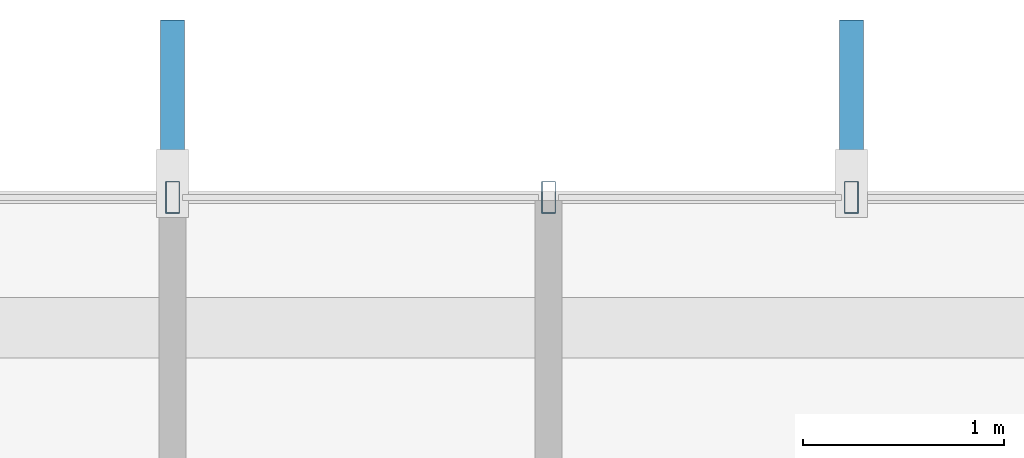
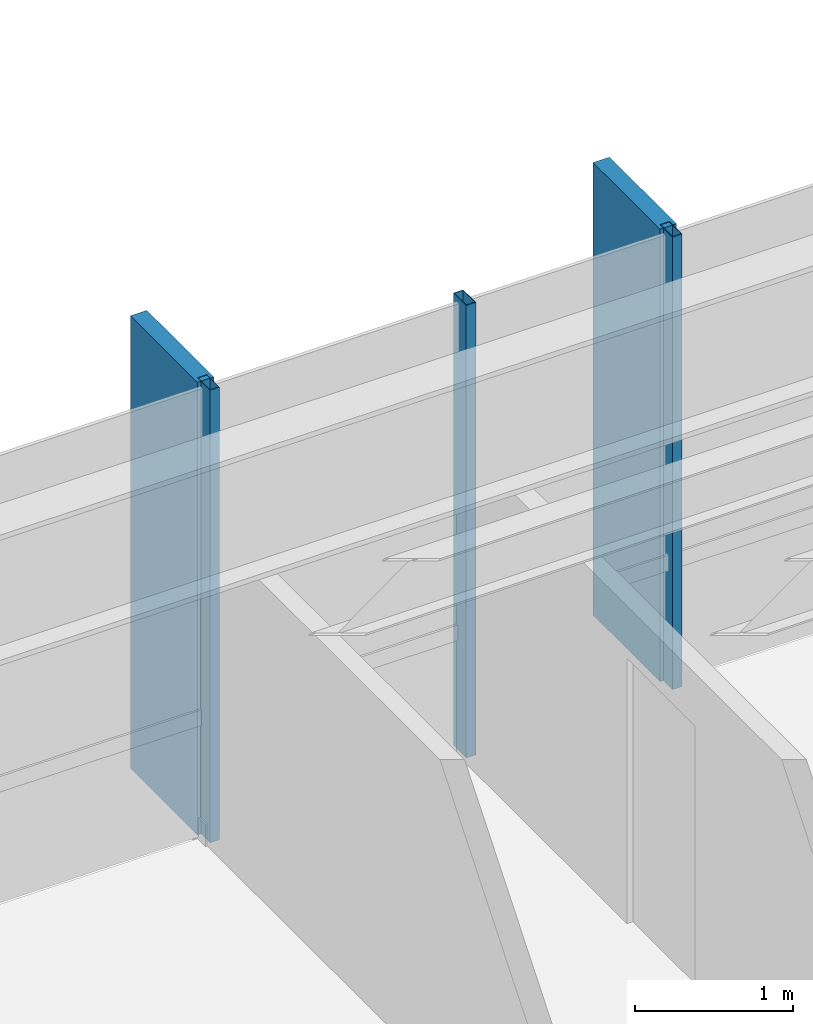
# One storey, part 15 of 28: 5 members, 1 element without a shape of its own.
"""IFC4 building model written with IfcOpenShell, lengths in metres."""

from ifc_helpers import new_model, si_unit, direction, frame, origin, origin_2d, place, context, subcontext, project, spatial, rectangle, hollow_rectangle, extrude, material, layer, layer_set, material_profile, profile_set, type_object, element, aggregate, save


model = new_model("IFC4")

# Units and contexts
model_context = context("Model", 3, precision=1e-05, world=origin(), true_north=direction((0.0, 1.0)))
body_context = subcontext(model_context, "Body", "Model", "MODEL_VIEW")
ifc_project = project(units=[si_unit("LENGTHUNIT", "METRE"), si_unit("AREAUNIT", "SQUARE_METRE"), si_unit("VOLUMEUNIT", "CUBIC_METRE"), si_unit("PLANEANGLEUNIT", "RADIAN"), si_unit("MASSUNIT", "GRAM", prefix="KILO")], contexts=[model_context])

# Site, building, storey
site_placement = place(None, origin())
site = spatial("IfcSite", under=ifc_project, at=site_placement, CompositionType="ELEMENT")
building_placement = place(site_placement, origin())
building = spatial("IfcBuilding", under=site, at=building_placement, Name="Zarrinselat Tower", CompositionType="ELEMENT")
storey_placement = place(building_placement, frame((0.0, 0.0, 187.0)))
storey = spatial("IfcBuildingStorey", under=building, at=storey_placement, Name="L46", CompositionType="ELEMENT", Elevation=187.0)

# Curtain wall, members
ifc_material_1 = material(Name="Extruded Aluminium Alloy EN AW-6063 T6", Category="aluminium")
ifc_layer = layer(ifc_material_1, 0.175048828125)
ifc_layer_set = layer_set([ifc_layer], Name="Extruded Aluminium Alloy EN AW-6063 T6")
curtain_wall_type = type_object("IfcCurtainWallType", Name="CWS-HTL", PredefinedType="NOTDEFINED", material=ifc_layer_set)
curtain_wall_placement = place(storey_placement, origin())
curtain_wall = element("IfcCurtainWall", 1, at=curtain_wall_placement, inside=storey, type_object=curtain_wall_type, Name="L46 Unitised Curtain Wall CW-L46-E01", PredefinedType="NOTDEFINED")
ifc_material_2 = material(Name="Extruded Aluminium Alloy EN AW-6063 T6", Category="aluminium")
ifc_material_profile_1 = material_profile(ifc_material_2, hollow_rectangle(XDim=0.070068359375, YDim=0.159912109375, WallThickness=0.00390625, at=origin_2d()), Name="RHS 160x70x4")
ifc_profile_set_1 = profile_set([ifc_material_profile_1], Name="Extruded Aluminium Alloy EN AW-6063 T6")
member_type_1 = type_object("IfcMemberType", Name="MEM-CW-MUL2", PredefinedType="MULLION", material=ifc_profile_set_1)
member_1_placement = place(storey_placement, frame((46.6845703125, 48.605712890625, 0.0), z_axis=(0.0, 0.0, 1.0), x_axis=(-1.0, 0.0, 0.0)))
member_1 = element("IfcMember", 2, at=member_1_placement, type_object=member_type_1, Name="CW-L46-E01 Mullion 3", PredefinedType="MULLION", context=body_context, shape_type="SweptSolid", body=[
    extrude(hollow_rectangle(XDim=0.070068359375, YDim=0.159912109375, WallThickness=0.00390625, at=origin_2d()), origin(), (0.0, 0.0, 1.0), 3.5),
])
member_2_placement = place(storey_placement, frame((45.175048828125, 48.605712890625, 0.0), z_axis=(0.0, 0.0, 1.0), x_axis=(-1.0, 0.0, 0.0)))
member_2 = element("IfcMember", 3, at=member_2_placement, type_object=member_type_1, Name="CW-L46-E01 Mullion 4", PredefinedType="MULLION", context=body_context, shape_type="SweptSolid", body=[
    extrude(hollow_rectangle(XDim=0.070068359375, YDim=0.159912109375, WallThickness=0.00390625, at=origin_2d()), origin(), (0.0, 0.0, 1.0), 3.5),
])
member_3_placement = place(storey_placement, frame((43.300048828125, 48.605712890625, 0.0), z_axis=(0.0, 0.0, 1.0), x_axis=(-1.0, 0.0, 0.0)))
member_3 = element("IfcMember", 4, at=member_3_placement, type_object=member_type_1, Name="CW-L46-E01 Mullion 5", PredefinedType="MULLION", context=body_context, shape_type="SweptSolid", body=[
    extrude(hollow_rectangle(XDim=0.070068359375, YDim=0.159912109375, WallThickness=0.00390625, at=origin_2d()), origin(), (0.0, 0.0, 1.0), 3.5),
])
ifc_material_3 = material(Name="Honed Cream Travertine Stone", Category="masonry")
ifc_material_profile_2 = material_profile(ifc_material_3, rectangle(XDim=0.1201171875, YDim=0.85009765625, at=origin_2d()), Name="FIN 850x120")
ifc_profile_set_2 = profile_set([ifc_material_profile_2], Name="Honed Cream Travertine Stone")
member_type_2 = type_object("IfcMemberType", Name="MEM-STONE-FIN", PredefinedType="USERDEFINED", material=ifc_profile_set_2)
member_4_placement = place(storey_placement, frame((46.6845703125, 49.065673828125, 0.0), z_axis=(0.0, 0.0, 1.0), x_axis=(1.0, 0.0, 0.0)))
member_4 = element("IfcMember", 5, at=member_4_placement, type_object=member_type_2, Name="L46 Stone Shading Fin CW-L46-E01-03", ObjectType="FIN", PredefinedType="USERDEFINED", context=body_context, shape_type="SweptSolid", body=[
    extrude(rectangle(XDim=0.1201171875, YDim=0.85009765625, at=origin_2d()), origin(), (0.0, 0.0, 1.0), 3.5),
])
member_5_placement = place(storey_placement, frame((43.300048828125, 49.065673828125, 0.0), z_axis=(0.0, 0.0, 1.0), x_axis=(1.0, 0.0, 0.0)))
member_5 = element("IfcMember", 6, at=member_5_placement, type_object=member_type_2, Name="L46 Stone Shading Fin CW-L46-E01-05", ObjectType="FIN", PredefinedType="USERDEFINED", context=body_context, shape_type="SweptSolid", body=[
    extrude(rectangle(XDim=0.1201171875, YDim=0.85009765625, at=origin_2d()), origin(), (0.0, 0.0, 1.0), 3.5),
])
aggregate(curtain_wall, [member_1, member_4, member_2, member_3, member_5])

save(model, "model.ifc")
